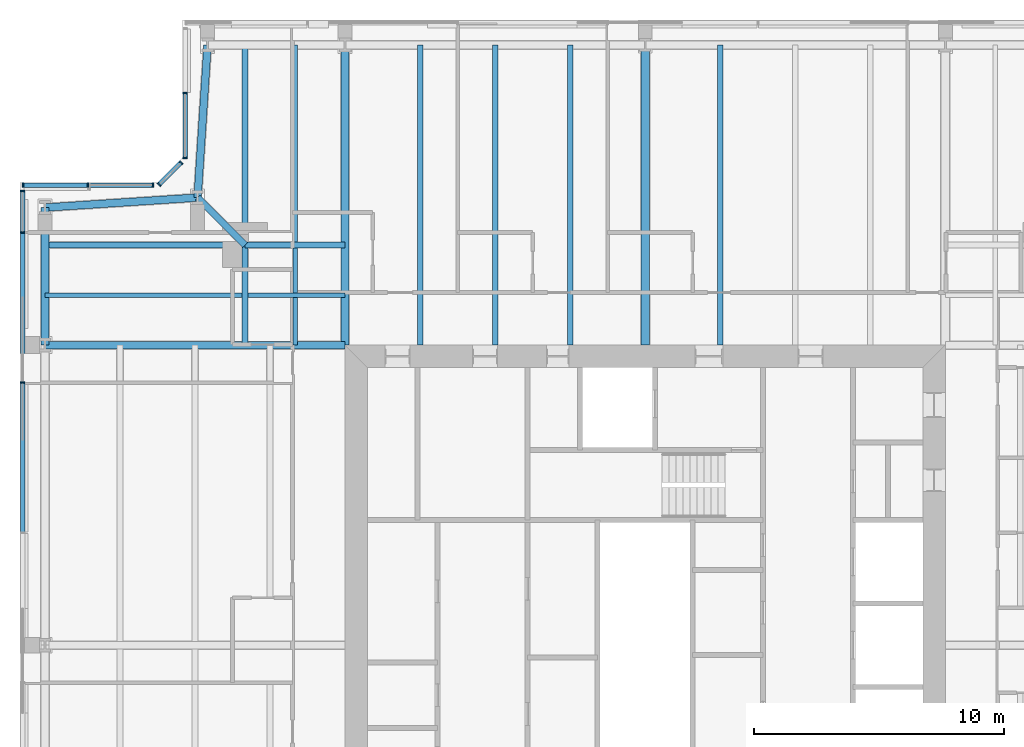
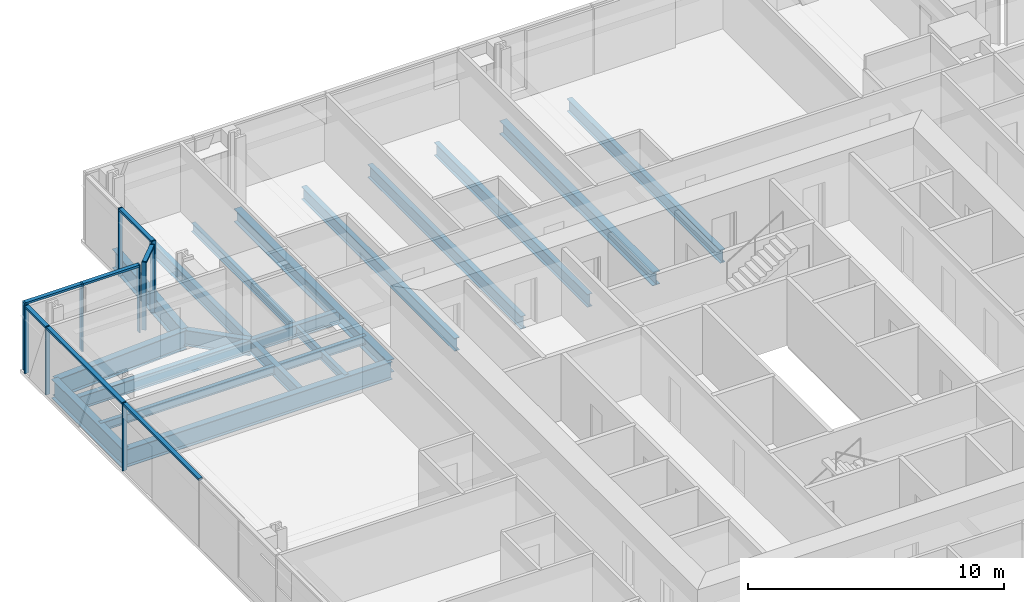
# One storey, part 7 of 20: 20 beams, 17 members, 4 elements without a shape of their own.
"""IFC4 building model written with IfcOpenShell, lengths in metres."""

from ifc_helpers import new_model, si_unit, direction, frame, origin, origin_2d, place, context, subcontext, project, spatial, rectangle, i_section, extrude, material, material_profile, profile_set, type_object, element, aggregate, save


model = new_model("IFC4")

# Units and contexts
model_context = context("Model", 3, precision=1e-05, world=origin(), true_north=direction((0.0, 1.0)))
body_context = subcontext(model_context, "Body", "Model", "MODEL_VIEW")
ifc_project = project(units=[si_unit("LENGTHUNIT", "METRE"), si_unit("AREAUNIT", "SQUARE_METRE"), si_unit("VOLUMEUNIT", "CUBIC_METRE"), si_unit("PLANEANGLEUNIT", "RADIAN"), si_unit("MASSUNIT", "GRAM", prefix="KILO")], contexts=[model_context])

# Site, building, storey
site_placement = place(None, origin())
site = spatial("IfcSite", under=ifc_project, at=site_placement, CompositionType="ELEMENT")
building_placement = place(site_placement, origin())
building = spatial("IfcBuilding", under=site, at=building_placement, Name="Fenwick Lantern Interchange", CompositionType="ELEMENT")
storey_placement = place(building_placement, frame((0.0, 0.0, 259.39990234375)))
storey = spatial("IfcBuildingStorey", under=building, at=storey_placement, Name="L61", CompositionType="ELEMENT", Elevation=259.39990234375)

# Beams
ifc_material_1 = material(Name="Steel ASTM A992 Grade 50", Category="steel")
ifc_material_profile_1 = material_profile(ifc_material_1, i_section(OverallWidth=0.3046875, OverallDepth=0.911865234375, WebThickness=0.015869140625, FlangeThickness=0.02392578125, at=origin_2d()), Name="W36X150")
ifc_profile_set_1 = profile_set([ifc_material_profile_1], Name="Steel ASTM A992 Grade 50")
beam_type_1 = type_object("IfcBeamType", Name="EDGE BEAM W36X150", PredefinedType="SPANDREL", material=ifc_profile_set_1)
for number, where, z_axis, x_axis, name in (
    (1, (7.5, 49.0, -0.605712890625), (-0.065416293237, -0.997858060337, 0.0), (0.997858060337, -0.065416293237, 0.0), "L61/FR/N/EBR1"),
    (2, (7.10009765625, 42.89990234375, -0.605712890625), (-0.997858060337, -0.065416293237, 0.0), (0.065416293237, -0.997858060337, 0.0), "L61/FR/N/EBR2"),
):
    element("IfcBeam", number, at=place(storey_placement, frame(where, z_axis=z_axis, x_axis=x_axis)), inside=storey, type_object=beam_type_1, Name=name, PredefinedType="SPANDREL", context=body_context, shape_type="SweptSolid", body=[
        extrude(i_section(OverallWidth=0.3046875, OverallDepth=0.911865234375, WebThickness=0.015869140625, FlangeThickness=0.02392578125, at=origin_2d()), origin(), (0.0, 0.0, 1.0), 6.11328125),
    ])
beam_1_placement = place(storey_placement, frame((1.0, 42.5, -0.605712890625), z_axis=(0.0, -1.0, 0.0), x_axis=(1.0, 0.0, 0.0)))
element("IfcBeam", 3, at=beam_1_placement, inside=storey, type_object=beam_type_1, Name="L61/FR/W/EB1", PredefinedType="SPANDREL", context=body_context, shape_type="SweptSolid", body=[
    extrude(i_section(OverallWidth=0.3046875, OverallDepth=0.911865234375, WebThickness=0.015869140625, FlangeThickness=0.02392578125, at=origin_2d()), origin(), (0.0, 0.0, 1.0), 5.5),
])
ifc_material_profile_2 = material_profile(ifc_material_1, i_section(OverallWidth=0.22900390625, OverallDepth=0.612060546875, WebThickness=0.011962890625, FlangeThickness=0.01953125, at=origin_2d()), Name="W24X84")
ifc_profile_set_2 = profile_set([ifc_material_profile_2], Name="Steel ASTM A992 Grade 50")
beam_type_2 = type_object("IfcBeamType", Name="FLOOR BEAM W24X84", PredefinedType="BEAM", material=ifc_profile_set_2)
for number, where, z_axis, x_axis, name in (
    (4, (28.0, 49.0, -0.4560546875), (0.0, -1.0, 0.0), (1.0, 0.0, 0.0), "L61/FR/N/R04"),
    (5, (22.0, 49.0, -0.4560546875), (0.0, -1.0, 0.0), (1.0, 0.0, 0.0), "L61/FR/N/R06"),
    (6, (19.0, 49.0, -0.4560546875), (0.0, -1.0, 0.0), (1.0, 0.0, 0.0), "L61/FR/N/R07"),
    (7, (16.0, 49.0, -0.4560546875), (0.0, -1.0, 0.0), (1.0, 0.0, 0.0), "L61/FR/N/R08"),
):
    element("IfcBeam", number, at=place(storey_placement, frame(where, z_axis=z_axis, x_axis=x_axis)), inside=storey, type_object=beam_type_2, Name=name, PredefinedType="BEAM", context=body_context, shape_type="SweptSolid", body=[
        extrude(i_section(OverallWidth=0.22900390625, OverallDepth=0.612060546875, WebThickness=0.011962890625, FlangeThickness=0.01953125, at=origin_2d()), origin(), (0.0, 0.0, 1.0), 12.0),
    ])

# Curtain wall, members
ifc_material_2 = material(Name="Aluminium curtain wall frame", Category="aluminium")
curtain_wall_type = type_object("IfcCurtainWallType", Name="HOTEL CURTAIN WALL", PredefinedType="USERDEFINED", material=ifc_material_2)
curtain_wall_1_placement = place(storey_placement, origin())
curtain_wall_1 = element("IfcCurtainWall", 8, at=curtain_wall_1_placement, inside=storey, type_object=curtain_wall_type, Name="Hotel curtain wall 10", ObjectType="HOTEL CURTAIN WALL", PredefinedType="USERDEFINED")
ifc_material_3 = material(Name="Aluminium extrusion", Category="aluminium")
ifc_material_profile_3 = material_profile(ifc_material_3, rectangle(XDim=0.179931640625, YDim=0.06005859375, at=origin_2d()), Name="HOTEL CURTAIN WALL MULLION 60 X 180")
ifc_profile_set_3 = profile_set([ifc_material_profile_3], Name="Aluminium extrusion")
member_type_1 = type_object("IfcMemberType", Name="HOTEL CURTAIN WALL MULLION 60 X 180", PredefinedType="MULLION", material=ifc_profile_set_3)
member_1_placement = place(storey_placement, frame((6.60009765625, 47.079345703125, 0.0), z_axis=(0.0, 0.0, 1.0), x_axis=(1.0, 0.0, 0.0)))
member_1 = element("IfcMember", 9, at=member_1_placement, type_object=member_type_1, Name="L61/CW/10/M01", PredefinedType="MULLION", context=body_context, shape_type="SweptSolid", body=[
    extrude(rectangle(XDim=0.179931640625, YDim=0.06005859375, at=origin_2d()), origin(), (0.0, 0.0, 1.0), 3.25),
])
member_2_placement = place(storey_placement, frame((6.60009765625, 44.488525390625, 0.0), z_axis=(0.0, 0.0, 1.0), x_axis=(1.0, 0.0, 0.0)))
member_2 = element("IfcMember", 10, at=member_2_placement, type_object=member_type_1, Name="L61/CW/10/M02", PredefinedType="MULLION", context=body_context, shape_type="SweptSolid", body=[
    extrude(rectangle(XDim=0.179931640625, YDim=0.06005859375, at=origin_2d()), origin(), (0.0, 0.0, 1.0), 3.25),
])

curtain_wall_2_placement = place(storey_placement, origin())
curtain_wall_2 = element("IfcCurtainWall", 11, at=curtain_wall_2_placement, inside=storey, type_object=curtain_wall_type, Name="Hotel curtain wall 11", ObjectType="HOTEL CURTAIN WALL", PredefinedType="USERDEFINED")
member_3_placement = place(storey_placement, frame((6.437255859375, 44.2958984375, 0.0), z_axis=(0.0, 0.0, 1.0), x_axis=(0.707106781187, -0.707106781187, 0.0)))
member_3 = element("IfcMember", 12, at=member_3_placement, type_object=member_type_1, Name="L61/CW/11/M00", PredefinedType="MULLION", context=body_context, shape_type="SweptSolid", body=[
    extrude(rectangle(XDim=0.179931640625, YDim=0.06005859375, at=origin_2d()), origin(), (0.0, 0.0, 1.0), 3.25),
])
member_4_placement = place(storey_placement, frame((5.562744140625, 43.421142578125, 0.0), z_axis=(0.0, 0.0, 1.0), x_axis=(0.707106781187, -0.707106781187, 0.0)))
member_4 = element("IfcMember", 13, at=member_4_placement, type_object=member_type_1, Name="L61/CW/11/M01", PredefinedType="MULLION", context=body_context, shape_type="SweptSolid", body=[
    extrude(rectangle(XDim=0.179931640625, YDim=0.06005859375, at=origin_2d()), origin(), (0.0, 0.0, 1.0), 3.25),
])

curtain_wall_3_placement = place(storey_placement, origin())
curtain_wall_3 = element("IfcCurtainWall", 14, at=curtain_wall_3_placement, inside=storey, type_object=curtain_wall_type, Name="Hotel curtain wall 12", ObjectType="HOTEL CURTAIN WALL", PredefinedType="USERDEFINED")
member_5_placement = place(storey_placement, frame((5.3115234375, 43.39990234375, 0.0), z_axis=(0.0, 0.0, 1.0), x_axis=(0.0, -1.0, 0.0)))
member_5 = element("IfcMember", 15, at=member_5_placement, type_object=member_type_1, Name="L61/CW/12/M00", PredefinedType="MULLION", context=body_context, shape_type="SweptSolid", body=[
    extrude(rectangle(XDim=0.179931640625, YDim=0.06005859375, at=origin_2d()), origin(), (0.0, 0.0, 1.0), 3.25),
])
member_6_placement = place(storey_placement, frame((2.720703125, 43.39990234375, 0.0), z_axis=(0.0, 0.0, 1.0), x_axis=(0.0, -1.0, 0.0)))
member_6 = element("IfcMember", 16, at=member_6_placement, type_object=member_type_1, Name="L61/CW/12/M01", PredefinedType="MULLION", context=body_context, shape_type="SweptSolid", body=[
    extrude(rectangle(XDim=0.179931640625, YDim=0.06005859375, at=origin_2d()), origin(), (0.0, 0.0, 1.0), 3.25),
])
member_7_placement = place(storey_placement, frame((0.1298828125, 43.39990234375, 0.0), z_axis=(0.0, 0.0, 1.0), x_axis=(0.0, -1.0, 0.0)))
member_7 = element("IfcMember", 17, at=member_7_placement, type_object=member_type_1, Name="L61/CW/12/M02", PredefinedType="MULLION", context=body_context, shape_type="SweptSolid", body=[
    extrude(rectangle(XDim=0.179931640625, YDim=0.06005859375, at=origin_2d()), origin(), (0.0, 0.0, 1.0), 3.25),
])

curtain_wall_4_placement = place(storey_placement, origin())
curtain_wall_4 = element("IfcCurtainWall", 18, at=curtain_wall_4_placement, inside=storey, type_object=curtain_wall_type, Name="Hotel curtain wall 13", ObjectType="HOTEL CURTAIN WALL", PredefinedType="USERDEFINED")
member_8_placement = place(storey_placement, frame((0.10009765625, 43.169921875, 0.0), z_axis=(0.0, 0.0, 1.0), x_axis=(1.0, 0.0, 0.0)))
member_8 = element("IfcMember", 19, at=member_8_placement, type_object=member_type_1, Name="L61/CW/13/M00", PredefinedType="MULLION", context=body_context, shape_type="SweptSolid", body=[
    extrude(rectangle(XDim=0.179931640625, YDim=0.06005859375, at=origin_2d()), origin(), (0.0, 0.0, 1.0), 3.25),
])
member_9_placement = place(storey_placement, frame((0.10009765625, 41.5, 0.0), z_axis=(0.0, 0.0, 1.0), x_axis=(1.0, 0.0, 0.0)))
member_9 = element("IfcMember", 20, at=member_9_placement, type_object=member_type_1, Name="L61/CW/13/M01", PredefinedType="MULLION", context=body_context, shape_type="SweptSolid", body=[
    extrude(rectangle(XDim=0.179931640625, YDim=0.06005859375, at=origin_2d()), origin(), (0.0, 0.0, 1.0), 3.25),
])
member_10_placement = place(storey_placement, frame((0.10009765625, 35.5, 0.0), z_axis=(0.0, 0.0, 1.0), x_axis=(1.0, 0.0, 0.0)))
member_10 = element("IfcMember", 21, at=member_10_placement, type_object=member_type_1, Name="L61/CW/13/M02", PredefinedType="MULLION", context=body_context, shape_type="SweptSolid", body=[
    extrude(rectangle(XDim=0.179931640625, YDim=0.06005859375, at=origin_2d()), origin(), (0.0, 0.0, 1.0), 3.25),
])

# Member
ifc_material_profile_4 = material_profile(ifc_material_3, rectangle(XDim=0.179931640625, YDim=0.10009765625, at=origin_2d()), Name="HOTEL CURTAIN WALL TRANSOM 100 X 180")
ifc_profile_set_4 = profile_set([ifc_material_profile_4], Name="Aluminium extrusion")
member_type_2 = type_object("IfcMemberType", Name="HOTEL CURTAIN WALL TRANSOM 100 X 180", PredefinedType="MULLION", material=ifc_profile_set_4)
member_11_placement = place(storey_placement, frame((6.60009765625, 47.04931640625, 3.2001953125), z_axis=(0.0, -1.0, 0.0), x_axis=(1.0, 0.0, 0.0)))
member_11 = element("IfcMember", 22, at=member_11_placement, type_object=member_type_2, Name="L61/CW/10/T01", PredefinedType="MULLION", context=body_context, shape_type="SweptSolid", body=[
    extrude(rectangle(XDim=0.179931640625, YDim=0.10009765625, at=origin_2d()), origin(), (0.0, 0.0, 1.0), 2.53076171875),
])

aggregate(curtain_wall_1, [member_1, member_2, member_11])

member_12_placement = place(storey_placement, frame((6.416259765625, 44.274658203125, 3.2001953125), z_axis=(-0.707210470133, -0.707003077033, 0.0), x_axis=(0.707003077033, -0.707210470133, 0.0)))
member_12 = element("IfcMember", 23, at=member_12_placement, type_object=member_type_2, Name="L61/CW/11/T00", PredefinedType="MULLION", context=body_context, shape_type="SweptSolid", body=[
    extrude(rectangle(XDim=0.179931640625, YDim=0.10009765625, at=origin_2d()), origin(), (0.0, 0.0, 1.0), 1.17724609375),
])

aggregate(curtain_wall_2, [member_3, member_4, member_12])

member_13_placement = place(storey_placement, frame((5.281494140625, 43.39990234375, 3.2001953125), z_axis=(-1.0, 0.0, 0.0), x_axis=(0.0, -1.0, 0.0)))
member_13 = element("IfcMember", 24, at=member_13_placement, type_object=member_type_2, Name="L61/CW/12/T00", PredefinedType="MULLION", context=body_context, shape_type="SweptSolid", body=[
    extrude(rectangle(XDim=0.179931640625, YDim=0.10009765625, at=origin_2d()), origin(), (0.0, 0.0, 1.0), 2.53076171875),
])

member_14_placement = place(storey_placement, frame((2.690673828125, 43.39990234375, 3.2001953125), z_axis=(-1.0, 0.0, 0.0), x_axis=(0.0, -1.0, 0.0)))
member_14 = element("IfcMember", 25, at=member_14_placement, type_object=member_type_2, Name="L61/CW/12/T01", PredefinedType="MULLION", context=body_context, shape_type="SweptSolid", body=[
    extrude(rectangle(XDim=0.179931640625, YDim=0.10009765625, at=origin_2d()), origin(), (0.0, 0.0, 1.0), 2.53076171875),
])

aggregate(curtain_wall_3, [member_5, member_6, member_7, member_13, member_14])

member_15_placement = place(storey_placement, frame((0.10009765625, 43.139892578125, 3.2001953125), z_axis=(0.0, -1.0, 0.0), x_axis=(1.0, 0.0, 0.0)))
member_15 = element("IfcMember", 26, at=member_15_placement, type_object=member_type_2, Name="L61/CW/13/T00", PredefinedType="MULLION", context=body_context, shape_type="SweptSolid", body=[
    extrude(rectangle(XDim=0.179931640625, YDim=0.10009765625, at=origin_2d()), origin(), (0.0, 0.0, 1.0), 1.60986328125),
])

member_16_placement = place(storey_placement, frame((0.10009765625, 41.469970703125, 3.2001953125), z_axis=(0.0, -1.0, 0.0), x_axis=(1.0, 0.0, 0.0)))
member_16 = element("IfcMember", 27, at=member_16_placement, type_object=member_type_2, Name="L61/CW/13/T01", PredefinedType="MULLION", context=body_context, shape_type="SweptSolid", body=[
    extrude(rectangle(XDim=0.179931640625, YDim=0.10009765625, at=origin_2d()), origin(), (0.0, 0.0, 1.0), 5.93994140625),
])

member_17_placement = place(storey_placement, frame((0.10009765625, 35.469970703125, 3.2001953125), z_axis=(0.0, -1.0, 0.0), x_axis=(1.0, 0.0, 0.0)))
member_17 = element("IfcMember", 28, at=member_17_placement, type_object=member_type_2, Name="L61/CW/13/T02", PredefinedType="MULLION", context=body_context, shape_type="SweptSolid", body=[
    extrude(rectangle(XDim=0.179931640625, YDim=0.10009765625, at=origin_2d()), origin(), (0.0, 0.0, 1.0), 5.93994140625),
])

aggregate(curtain_wall_4, [member_8, member_9, member_10, member_15, member_16, member_17])

# Beams
ifc_material_profile_5 = material_profile(ifc_material_1, i_section(OverallWidth=0.177734375, OverallDepth=0.406494140625, WebThickness=0.0078125, FlangeThickness=0.012939453125, at=origin_2d()), Name="W16X40")
ifc_profile_set_5 = profile_set([ifc_material_profile_5], Name="Steel ASTM A992 Grade 50")
beam_type_3 = type_object("IfcBeamType", Name="INFILL BEAM W16X40", PredefinedType="JOIST", material=ifc_profile_set_5)
beam_2_placement = place(storey_placement, frame((1.0, 39.0, -0.35302734375), z_axis=(1.0, 0.0, 0.0), x_axis=(0.0, 1.0, 0.0)))
element("IfcBeam", 29, at=beam_2_placement, inside=storey, type_object=beam_type_3, Name="L61/FR/W/J1", PredefinedType="JOIST", context=body_context, shape_type="SweptSolid", body=[
    extrude(i_section(OverallWidth=0.177734375, OverallDepth=0.406494140625, WebThickness=0.0078125, FlangeThickness=0.012939453125, at=origin_2d()), origin(), (0.0, 0.0, 1.0), 7.885498046875),
])
beam_3_placement = place(storey_placement, frame((9.114501953125, 39.0, -0.35302734375), z_axis=(1.0, 0.0, 0.0), x_axis=(0.0, 1.0, 0.0)))
element("IfcBeam", 30, at=beam_3_placement, inside=storey, type_object=beam_type_3, Name="L61/FR/W/J2", PredefinedType="JOIST", context=body_context, shape_type="SweptSolid", body=[
    extrude(i_section(OverallWidth=0.177734375, OverallDepth=0.406494140625, WebThickness=0.0078125, FlangeThickness=0.012939453125, at=origin_2d()), origin(), (0.0, 0.0, 1.0), 3.885498046875),
])
beam_4_placement = place(storey_placement, frame((11.0, 49.0, -0.35302734375), z_axis=(0.0, -1.0, 0.0), x_axis=(1.0, 0.0, 0.0)))
element("IfcBeam", 31, at=beam_4_placement, inside=storey, type_object=beam_type_3, Name="L61/FR/W/J3", PredefinedType="JOIST", context=body_context, shape_type="SweptSolid", body=[
    extrude(i_section(OverallWidth=0.177734375, OverallDepth=0.406494140625, WebThickness=0.0078125, FlangeThickness=0.012939453125, at=origin_2d()), origin(), (0.0, 0.0, 1.0), 7.885498046875),
])
beam_5_placement = place(storey_placement, frame((11.0, 40.885498046875, -0.35302734375), z_axis=(0.0, -1.0, 0.0), x_axis=(1.0, 0.0, 0.0)))
element("IfcBeam", 32, at=beam_5_placement, inside=storey, type_object=beam_type_3, Name="L61/FR/W/J4", PredefinedType="JOIST", context=body_context, shape_type="SweptSolid", body=[
    extrude(i_section(OverallWidth=0.177734375, OverallDepth=0.406494140625, WebThickness=0.0078125, FlangeThickness=0.012939453125, at=origin_2d()), origin(), (0.0, 0.0, 1.0), 1.796630859375),
])
beam_6_placement = place(storey_placement, frame((11.0, 38.9111328125, -0.35302734375), z_axis=(0.0, -1.0, 0.0), x_axis=(1.0, 0.0, 0.0)))
element("IfcBeam", 33, at=beam_6_placement, inside=storey, type_object=beam_type_3, Name="L61/FR/W/J5", PredefinedType="JOIST", context=body_context, shape_type="SweptSolid", body=[
    extrude(i_section(OverallWidth=0.177734375, OverallDepth=0.406494140625, WebThickness=0.0078125, FlangeThickness=0.012939453125, at=origin_2d()), origin(), (0.0, 0.0, 1.0), 1.9111328125),
])
ifc_material_profile_6 = material_profile(ifc_material_1, i_section(OverallWidth=0.22900390625, OverallDepth=0.612060546875, WebThickness=0.011962890625, FlangeThickness=0.01953125, at=origin_2d()), Name="W24X84")
ifc_profile_set_6 = profile_set([ifc_material_profile_6], Name="Steel ASTM A992 Grade 50")
beam_type_4 = type_object("IfcBeamType", Name="MEGA COLUMN BEAM W24X84", PredefinedType="BEAM", material=ifc_profile_set_6)
for number, where, z_axis, x_axis, name in (
    (34, (9.0, 41.0, -0.4560546875), (-1.0, 0.0, 0.0), (0.0, -1.0, 0.0), "L61/FR/W/MB1"),
    (35, (9.0, 41.0, -0.4560546875), (0.0, 1.0, 0.0), (-1.0, 0.0, 0.0), "L61/FR/W/MB2"),
):
    element("IfcBeam", number, at=place(storey_placement, frame(where, z_axis=z_axis, x_axis=x_axis)), inside=storey, type_object=beam_type_4, Name=name, PredefinedType="BEAM", context=body_context, shape_type="SweptSolid", body=[
        extrude(i_section(OverallWidth=0.22900390625, OverallDepth=0.612060546875, WebThickness=0.011962890625, FlangeThickness=0.01953125, at=origin_2d()), origin(), (0.0, 0.0, 1.0), 8.0),
    ])
for number, where, z_axis, x_axis, name in (
    (36, (9.0, 41.0, -0.4560546875), (0.0, -1.0, 0.0), (1.0, 0.0, 0.0), "L61/FR/W/MB3"),
    (37, (9.0, 41.0, -0.4560546875), (1.0, 0.0, 0.0), (0.0, 1.0, 0.0), "L61/FR/W/MB4"),
):
    element("IfcBeam", number, at=place(storey_placement, frame(where, z_axis=z_axis, x_axis=x_axis)), inside=storey, type_object=beam_type_4, Name=name, PredefinedType="BEAM", context=body_context, shape_type="SweptSolid", body=[
        extrude(i_section(OverallWidth=0.22900390625, OverallDepth=0.612060546875, WebThickness=0.011962890625, FlangeThickness=0.01953125, at=origin_2d()), origin(), (0.0, 0.0, 1.0), 4.0),
    ])
ifc_material_profile_7 = material_profile(ifc_material_1, i_section(OverallWidth=0.32763671875, OverallDepth=0.622314453125, WebThickness=0.015380859375, FlangeThickness=0.0244140625, at=origin_2d()), Name="W24X131")
ifc_profile_set_7 = profile_set([ifc_material_profile_7], Name="Steel ASTM A992 Grade 50")
beam_type_5 = type_object("IfcBeamType", Name="MOMENT-CONNECTED GIRDER W24X131", PredefinedType="BEAM", material=ifc_profile_set_7)
for number, where, z_axis, x_axis, name in (
    (38, (25.0, 49.0, -0.4609375), (0.0, -1.0, 0.0), (1.0, 0.0, 0.0), "L61/FR/N/R05"),
    (39, (13.0, 49.0, -0.4609375), (0.0, -1.0, 0.0), (1.0, 0.0, 0.0), "L61/FR/N/R09"),
):
    element("IfcBeam", number, at=place(storey_placement, frame(where, z_axis=z_axis, x_axis=x_axis)), inside=storey, type_object=beam_type_5, Name=name, PredefinedType="BEAM", context=body_context, shape_type="SweptSolid", body=[
        extrude(i_section(OverallWidth=0.32763671875, OverallDepth=0.622314453125, WebThickness=0.015380859375, FlangeThickness=0.0244140625, at=origin_2d()), origin(), (0.0, 0.0, 1.0), 12.0),
    ])
ifc_material_profile_8 = material_profile(ifc_material_1, i_section(OverallWidth=0.2919921875, OverallDepth=0.845703125, WebThickness=0.015380859375, FlangeThickness=0.0244140625, at=origin_2d()), Name="W33X141")
ifc_profile_set_8 = profile_set([ifc_material_profile_8], Name="Steel ASTM A992 Grade 50")
beam_type_6 = type_object("IfcBeamType", Name="MOMENT-CONNECTED GIRDER W33X141", PredefinedType="BEAM", material=ifc_profile_set_8)
beam_7_placement = place(storey_placement, frame((1.0, 37.0, -0.57275390625), z_axis=(1.0, 0.0, 0.0), x_axis=(0.0, 1.0, 0.0)))
element("IfcBeam", 40, at=beam_7_placement, inside=storey, type_object=beam_type_6, Name="L61/FR/W/R01", PredefinedType="BEAM", context=body_context, shape_type="SweptSolid", body=[
    extrude(i_section(OverallWidth=0.2919921875, OverallDepth=0.845703125, WebThickness=0.015380859375, FlangeThickness=0.0244140625, at=origin_2d()), origin(), (0.0, 0.0, 1.0), 12.0),
])
ifc_material_profile_9 = material_profile(ifc_material_1, i_section(OverallWidth=0.2666015625, OverallDepth=0.7568359375, WebThickness=0.013916015625, FlangeThickness=0.019287109375, at=origin_2d()), Name="W30X108")
ifc_profile_set_9 = profile_set([ifc_material_profile_9], Name="Steel ASTM A992 Grade 50")
beam_type_7 = type_object("IfcBeamType", Name="NOTCH BEAM W30X108", PredefinedType="BEAM", material=ifc_profile_set_9)
beam_8_placement = place(storey_placement, frame((9.0, 41.0, -0.5283203125), z_axis=(-0.707106781187, 0.707106781187, 0.0), x_axis=(-0.707106781187, -0.707106781187, 0.0)))
element("IfcBeam", 41, at=beam_8_placement, inside=storey, type_object=beam_type_7, Name="L61/FR/W/TG", PredefinedType="BEAM", context=body_context, shape_type="SweptSolid", body=[
    extrude(i_section(OverallWidth=0.2666015625, OverallDepth=0.7568359375, WebThickness=0.013916015625, FlangeThickness=0.019287109375, at=origin_2d()), origin(), (0.0, 0.0, 1.0), 2.686767578125),
])

save(model, "model.ifc")
